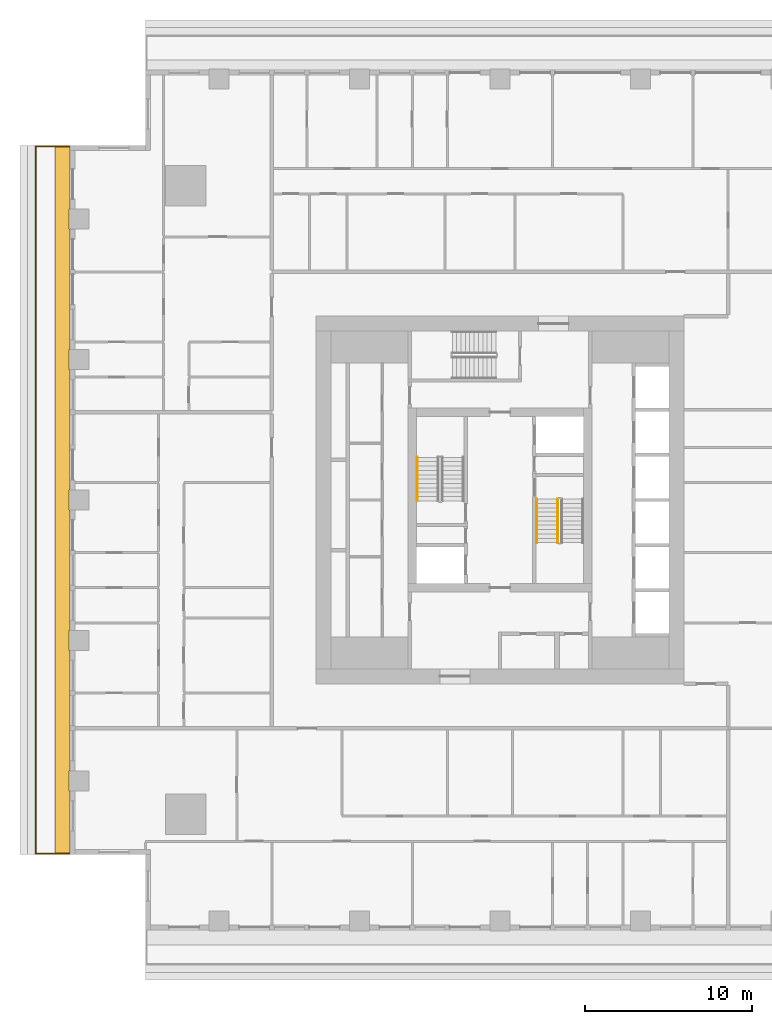
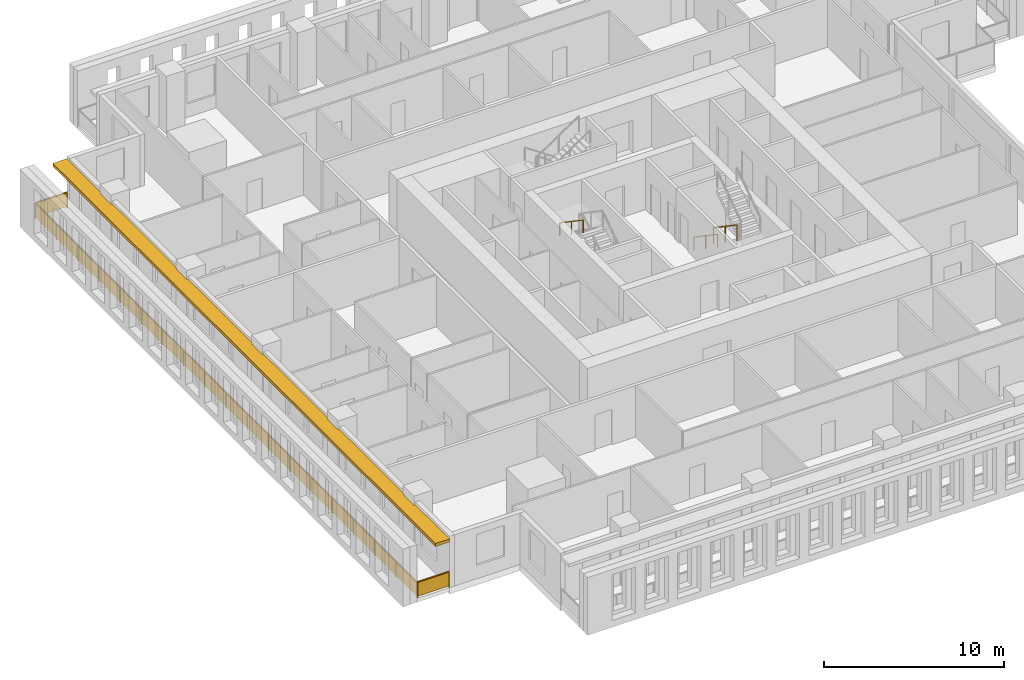
# One storey, part 11 of 15: 4 railings, 1 shading device.
"""IFC4 building model written with IfcOpenShell, lengths in metres."""

from ifc_helpers import new_model, si_unit, direction, frame, origin, origin_2d, place, context, subcontext, project, spatial, polyline, rectangle, outline, extrude, material, layer, layer_set, type_object, element, save


model = new_model("IFC4")

# Units and contexts
model_context = context("Model", 3, precision=1e-05, world=origin(), true_north=direction((0.0, 1.0)))
body_context = subcontext(model_context, "Body", "Model", "MODEL_VIEW")
ifc_project = project(units=[si_unit("LENGTHUNIT", "METRE"), si_unit("AREAUNIT", "SQUARE_METRE"), si_unit("VOLUMEUNIT", "CUBIC_METRE"), si_unit("PLANEANGLEUNIT", "RADIAN"), si_unit("MASSUNIT", "GRAM", prefix="KILO")], contexts=[model_context])

# Site, building, storey
site_placement = place(None, origin())
site = spatial("IfcSite", under=ifc_project, at=site_placement, CompositionType="ELEMENT")
building_placement = place(site_placement, origin())
building = spatial("IfcBuilding", under=site, at=building_placement, Name="Khepri Terraces", CompositionType="ELEMENT")
storey_placement = place(building_placement, frame((0.0, 0.0, 211.800048828125)))
storey = spatial("IfcBuildingStorey", under=building, at=storey_placement, Name="L50", CompositionType="ELEMENT", Elevation=211.800048828125)

# Railings
ifc_material_1 = material(Name="Stainless steel grade 316", Category="steel")
railing_type_1 = type_object("IfcRailingType", Name="GRD-BAL-1100", PredefinedType="GUARDRAIL", material=ifc_material_1)
railing_1_placement = place(storey_placement, frame((-25.719970703125, 21.169921875, 0.0)))
element("IfcRailing", 1, at=railing_1_placement, inside=storey, type_object=railing_type_1, Name="Balcony guard L50 W", PredefinedType="GUARDRAIL", context=body_context, shape_type="SweptSolid", body=[
    extrude(rectangle(XDim=0.050048828125, YDim=0.06005859375, at=origin_2d()), frame((0.0, 0.0, 1.070068359375), z_axis=(-1.0, 0.0, 0.0), x_axis=(0.0, -1.0, 0.0)), (0.0, 0.0, 1.0), 2.050048828125),
    extrude(rectangle(XDim=2.0, YDim=0.011962890625, at=origin_2d()), frame((-1.02490234375, 0.0, 0.10009765625), z_axis=(0.0, 0.0, 1.0), x_axis=(-1.0, 0.0, 0.0)), (0.0, 0.0, 1.0), 0.93994140625),
    extrude(rectangle(XDim=0.050048828125, YDim=0.06005859375, at=origin_2d()), frame((-2.050048828125, 0.0, 1.070068359375), z_axis=(0.0, -1.0, 0.0), x_axis=(1.0, 0.0, 0.0)), (0.0, 0.0, 1.0), 42.33984375),
    extrude(rectangle(XDim=2.30224609375, YDim=0.011962890625, at=origin_2d()), frame((-2.050048828125, -1.176025390625, 0.10009765625), z_axis=(0.0, 0.0, 1.0), x_axis=(0.0, -1.0, 0.0)), (0.0, 0.0, 1.0), 0.93994140625),
    extrude(rectangle(XDim=2.30224609375, YDim=0.011962890625, at=origin_2d()), frame((-2.050048828125, -3.5283203125, 0.10009765625), z_axis=(0.0, 0.0, 1.0), x_axis=(0.0, -1.0, 0.0)), (0.0, 0.0, 1.0), 0.93994140625),
    extrude(rectangle(XDim=2.30224609375, YDim=0.011962890625, at=origin_2d()), frame((-2.050048828125, -5.880615234375, 0.10009765625), z_axis=(0.0, 0.0, 1.0), x_axis=(0.0, -1.0, 0.0)), (0.0, 0.0, 1.0), 0.93994140625),
    extrude(rectangle(XDim=2.30224609375, YDim=0.011962890625, at=origin_2d()), frame((-2.050048828125, -8.232666015625, 0.10009765625), z_axis=(0.0, 0.0, 1.0), x_axis=(0.0, -1.0, 0.0)), (0.0, 0.0, 1.0), 0.93994140625),
    extrude(rectangle(XDim=2.30224609375, YDim=0.011962890625, at=origin_2d()), frame((-2.050048828125, -10.5849609375, 0.10009765625), z_axis=(0.0, 0.0, 1.0), x_axis=(0.0, -1.0, 0.0)), (0.0, 0.0, 1.0), 0.93994140625),
    extrude(rectangle(XDim=2.30224609375, YDim=0.011962890625, at=origin_2d()), frame((-2.050048828125, -12.937255859375, 0.10009765625), z_axis=(0.0, 0.0, 1.0), x_axis=(0.0, -1.0, 0.0)), (0.0, 0.0, 1.0), 0.93994140625),
    extrude(rectangle(XDim=2.30224609375, YDim=0.011962890625, at=origin_2d()), frame((-2.050048828125, -15.289306640625, 0.10009765625), z_axis=(0.0, 0.0, 1.0), x_axis=(0.0, -1.0, 0.0)), (0.0, 0.0, 1.0), 0.93994140625),
    extrude(rectangle(XDim=2.30224609375, YDim=0.011962890625, at=origin_2d()), frame((-2.050048828125, -17.6416015625, 0.10009765625), z_axis=(0.0, 0.0, 1.0), x_axis=(0.0, -1.0, 0.0)), (0.0, 0.0, 1.0), 0.93994140625),
    extrude(rectangle(XDim=2.30224609375, YDim=0.011962890625, at=origin_2d()), frame((-2.050048828125, -19.993896484375, 0.10009765625), z_axis=(0.0, 0.0, 1.0), x_axis=(0.0, -1.0, 0.0)), (0.0, 0.0, 1.0), 0.93994140625),
    extrude(rectangle(XDim=2.30224609375, YDim=0.011962890625, at=origin_2d()), frame((-2.050048828125, -22.345947265625, 0.10009765625), z_axis=(0.0, 0.0, 1.0), x_axis=(0.0, -1.0, 0.0)), (0.0, 0.0, 1.0), 0.93994140625),
    extrude(rectangle(XDim=2.30224609375, YDim=0.011962890625, at=origin_2d()), frame((-2.050048828125, -24.6982421875, 0.10009765625), z_axis=(0.0, 0.0, 1.0), x_axis=(0.0, -1.0, 0.0)), (0.0, 0.0, 1.0), 0.93994140625),
    extrude(rectangle(XDim=2.30224609375, YDim=0.011962890625, at=origin_2d()), frame((-2.050048828125, -27.050537109375, 0.10009765625), z_axis=(0.0, 0.0, 1.0), x_axis=(0.0, -1.0, 0.0)), (0.0, 0.0, 1.0), 0.93994140625),
    extrude(rectangle(XDim=2.30224609375, YDim=0.011962890625, at=origin_2d()), frame((-2.050048828125, -29.402587890625, 0.10009765625), z_axis=(0.0, 0.0, 1.0), x_axis=(0.0, -1.0, 0.0)), (0.0, 0.0, 1.0), 0.93994140625),
    extrude(rectangle(XDim=2.30224609375, YDim=0.011962890625, at=origin_2d()), frame((-2.050048828125, -31.7548828125, 0.10009765625), z_axis=(0.0, 0.0, 1.0), x_axis=(0.0, -1.0, 0.0)), (0.0, 0.0, 1.0), 0.93994140625),
    extrude(rectangle(XDim=2.30224609375, YDim=0.011962890625, at=origin_2d()), frame((-2.050048828125, -34.107177734375, 0.10009765625), z_axis=(0.0, 0.0, 1.0), x_axis=(0.0, -1.0, 0.0)), (0.0, 0.0, 1.0), 0.93994140625),
    extrude(rectangle(XDim=2.30224609375, YDim=0.011962890625, at=origin_2d()), frame((-2.050048828125, -36.459228515625, 0.10009765625), z_axis=(0.0, 0.0, 1.0), x_axis=(0.0, -1.0, 0.0)), (0.0, 0.0, 1.0), 0.93994140625),
    extrude(rectangle(XDim=2.30224609375, YDim=0.011962890625, at=origin_2d()), frame((-2.050048828125, -38.8115234375, 0.10009765625), z_axis=(0.0, 0.0, 1.0), x_axis=(0.0, -1.0, 0.0)), (0.0, 0.0, 1.0), 0.93994140625),
    extrude(rectangle(XDim=2.30224609375, YDim=0.011962890625, at=origin_2d()), frame((-2.050048828125, -41.163818359375, 0.10009765625), z_axis=(0.0, 0.0, 1.0), x_axis=(0.0, -1.0, 0.0)), (0.0, 0.0, 1.0), 0.93994140625),
    extrude(rectangle(XDim=0.050048828125, YDim=0.06005859375, at=origin_2d()), frame((-2.050048828125, -42.33984375, 1.070068359375), z_axis=(1.0, 0.0, 0.0), x_axis=(0.0, 1.0, 0.0)), (0.0, 0.0, 1.0), 2.050048828125),
    extrude(rectangle(XDim=2.0, YDim=0.011962890625, at=origin_2d()), frame((-1.02490234375, -42.33984375, 0.10009765625), z_axis=(0.0, 0.0, 1.0), x_axis=(1.0, 0.0, 0.0)), (0.0, 0.0, 1.0), 0.93994140625),
    extrude(rectangle(XDim=0.050048828125, YDim=0.050048828125, at=origin_2d()), origin(), (0.0, 0.0, 1.0), 1.0400390625),
    extrude(rectangle(XDim=0.050048828125, YDim=0.050048828125, at=origin_2d()), frame((-2.050048828125, 0.0, 0.0)), (0.0, 0.0, 1.0), 1.0400390625),
    extrude(rectangle(XDim=0.050048828125, YDim=0.050048828125, at=origin_2d()), frame((-2.050048828125, -2.352294921875, 0.0)), (0.0, 0.0, 1.0), 1.0400390625),
    extrude(rectangle(XDim=0.050048828125, YDim=0.050048828125, at=origin_2d()), frame((-2.050048828125, -4.704345703125, 0.0)), (0.0, 0.0, 1.0), 1.0400390625),
    extrude(rectangle(XDim=0.050048828125, YDim=0.050048828125, at=origin_2d()), frame((-2.050048828125, -7.056640625, 0.0)), (0.0, 0.0, 1.0), 1.0400390625),
    extrude(rectangle(XDim=0.050048828125, YDim=0.050048828125, at=origin_2d()), frame((-2.050048828125, -9.408935546875, 0.0)), (0.0, 0.0, 1.0), 1.0400390625),
    extrude(rectangle(XDim=0.050048828125, YDim=0.050048828125, at=origin_2d()), frame((-2.050048828125, -11.760986328125, 0.0)), (0.0, 0.0, 1.0), 1.0400390625),
    extrude(rectangle(XDim=0.050048828125, YDim=0.050048828125, at=origin_2d()), frame((-2.050048828125, -14.11328125, 0.0)), (0.0, 0.0, 1.0), 1.0400390625),
    extrude(rectangle(XDim=0.050048828125, YDim=0.050048828125, at=origin_2d()), frame((-2.050048828125, -16.465576171875, 0.0)), (0.0, 0.0, 1.0), 1.0400390625),
    extrude(rectangle(XDim=0.050048828125, YDim=0.050048828125, at=origin_2d()), frame((-2.050048828125, -18.817626953125, 0.0)), (0.0, 0.0, 1.0), 1.0400390625),
    extrude(rectangle(XDim=0.050048828125, YDim=0.050048828125, at=origin_2d()), frame((-2.050048828125, -21.169921875, 0.0)), (0.0, 0.0, 1.0), 1.0400390625),
    extrude(rectangle(XDim=0.050048828125, YDim=0.050048828125, at=origin_2d()), frame((-2.050048828125, -23.522216796875, 0.0)), (0.0, 0.0, 1.0), 1.0400390625),
    extrude(rectangle(XDim=0.050048828125, YDim=0.050048828125, at=origin_2d()), frame((-2.050048828125, -25.874267578125, 0.0)), (0.0, 0.0, 1.0), 1.0400390625),
    extrude(rectangle(XDim=0.050048828125, YDim=0.050048828125, at=origin_2d()), frame((-2.050048828125, -28.2265625, 0.0)), (0.0, 0.0, 1.0), 1.0400390625),
    extrude(rectangle(XDim=0.050048828125, YDim=0.050048828125, at=origin_2d()), frame((-2.050048828125, -30.578857421875, 0.0)), (0.0, 0.0, 1.0), 1.0400390625),
    extrude(rectangle(XDim=0.050048828125, YDim=0.050048828125, at=origin_2d()), frame((-2.050048828125, -32.930908203125, 0.0)), (0.0, 0.0, 1.0), 1.0400390625),
    extrude(rectangle(XDim=0.050048828125, YDim=0.050048828125, at=origin_2d()), frame((-2.050048828125, -35.283203125, 0.0)), (0.0, 0.0, 1.0), 1.0400390625),
    extrude(rectangle(XDim=0.050048828125, YDim=0.050048828125, at=origin_2d()), frame((-2.050048828125, -37.635498046875, 0.0)), (0.0, 0.0, 1.0), 1.0400390625),
    extrude(rectangle(XDim=0.050048828125, YDim=0.050048828125, at=origin_2d()), frame((-2.050048828125, -39.987548828125, 0.0)), (0.0, 0.0, 1.0), 1.0400390625),
    extrude(rectangle(XDim=0.050048828125, YDim=0.050048828125, at=origin_2d()), frame((-2.050048828125, -42.33984375, 0.0)), (0.0, 0.0, 1.0), 1.0400390625),
    extrude(rectangle(XDim=0.050048828125, YDim=0.050048828125, at=origin_2d()), frame((0.0, -42.33984375, 0.0)), (0.0, 0.0, 1.0), 1.0400390625),
])
ifc_material_2 = material(Name="Stainless steel 316", Category="steel")
railing_type_2 = type_object("IfcRailingType", Name="RL-CORE-GUARD", PredefinedType="GUARDRAIL", material=ifc_material_2)
railing_2_placement = place(storey_placement, frame((3.449951171875, 0.050048828125, 0.17724609375)))
element("IfcRailing", 2, at=railing_2_placement, inside=storey, type_object=railing_type_2, Name="L50 ST-2 stair guard 1", PredefinedType="GUARDRAIL", context=body_context, shape_type="SweptSolid", body=[
    extrude(rectangle(XDim=0.050048828125, YDim=0.06005859375, at=origin_2d()), frame((0.0, 0.0, 1.070068359375), z_axis=(0.0, -0.826240473404, 0.563317565952), x_axis=(1.0, 0.0, 0.0)), (0.0, 0.0, 1.0), 3.14697265625),
    extrude(rectangle(XDim=0.050048828125, YDim=0.050048828125, at=origin_2d()), origin(), (0.0, 0.0, 1.0), 1.0400390625),
    extrude(rectangle(XDim=0.050048828125, YDim=0.050048828125, at=origin_2d()), frame((0.0, -1.300048828125, 0.88623046875)), (0.0, 0.0, 1.0), 1.0400390625),
    extrude(rectangle(XDim=0.050048828125, YDim=0.050048828125, at=origin_2d()), frame((0.0, -2.60009765625, 1.772705078125)), (0.0, 0.0, 1.0), 1.0400390625),
])
railing_type_3 = type_object("IfcRailingType", Name="RL-CORE-HANDRAIL", PredefinedType="HANDRAIL", material=ifc_material_2)
for number, where, name in (
    (3, (-4.949951171875, 2.550048828125, 2.127197265625), "L50 ST-1 stair handrail 2"),
    (4, (2.199951171875, 0.050048828125, 0.17724609375), "L50 ST-2 stair handrail 1"),
):
    element("IfcRailing", number, at=place(storey_placement, frame(where)), inside=storey, type_object=railing_type_3, Name=name, PredefinedType="HANDRAIL", context=body_context, shape_type="SweptSolid", body=[
        extrude(rectangle(XDim=0.050048828125, YDim=0.050048828125, at=origin_2d()), frame((0.0, 0.0, 0.875), z_axis=(0.0, -0.826240473404, 0.563317565952), x_axis=(1.0, 0.0, 0.0)), (0.0, 0.0, 1.0), 3.14697265625),
        extrude(rectangle(XDim=0.050048828125, YDim=0.050048828125, at=origin_2d()), origin(), (0.0, 0.0, 1.0), 0.849853515625),
        extrude(rectangle(XDim=0.050048828125, YDim=0.050048828125, at=origin_2d()), frame((0.0, -1.300048828125, 0.88623046875)), (0.0, 0.0, 1.0), 0.849853515625),
        extrude(rectangle(XDim=0.050048828125, YDim=0.050048828125, at=origin_2d()), frame((0.0, -2.60009765625, 1.772705078125)), (0.0, 0.0, 1.0), 0.849853515625),
    ])

# Shading device
ifc_material_3 = material(Name="Precast concrete C50/60 warm stone", Category="masonry")
ifc_layer = layer(ifc_material_3, 0.199951171875, Name="Precast concrete C50/60 warm stone", Category="masonry")
ifc_layer_set = layer_set([ifc_layer], Name="Precast concrete C50/60 warm stone")
shading_device_type = type_object("IfcShadingDeviceType", Name="SSH-BAND-STONE-200", PredefinedType="USERDEFINED", material=ifc_layer_set)
shading_device_placement = place(storey_placement, frame((0.0, 0.0, 3.099853515625)))
element("IfcShadingDevice", 5, at=shading_device_placement, inside=storey, type_object=shading_device_type, Name="Sunshade band L50 W", ObjectType="SUNSHADE", PredefinedType="USERDEFINED", context=body_context, shape_type="SweptSolid", body=[
    extrude(outline(polyline([(-25.719970703125, 17.39990234375), (-25.719970703125, 21.219970703125), (-26.6201171875, 21.219970703125), (-26.6201171875, -21.219970703125), (-25.719970703125, -21.219970703125), (-25.719970703125, -17.39990234375), (-25.800048828125, -17.39990234375), (-25.800048828125, -16.199951171875), (-25.719970703125, -16.199951171875), (-25.719970703125, -9.0), (-25.800048828125, -9.0), (-25.800048828125, -7.800048828125), (-25.719970703125, -7.800048828125), (-25.719970703125, -0.60009765625), (-25.800048828125, -0.60009765625), (-25.800048828125, 0.60009765625), (-25.719970703125, 0.60009765625), (-25.719970703125, 7.800048828125), (-25.800048828125, 7.800048828125), (-25.800048828125, 9.0), (-25.719970703125, 9.0), (-25.719970703125, 16.199951171875), (-25.800048828125, 16.199951171875), (-25.800048828125, 17.39990234375), (-25.719970703125, 17.39990234375)])), origin(), (0.0, 0.0, 1.0), 0.2001953125),
])

save(model, "model.ifc")
